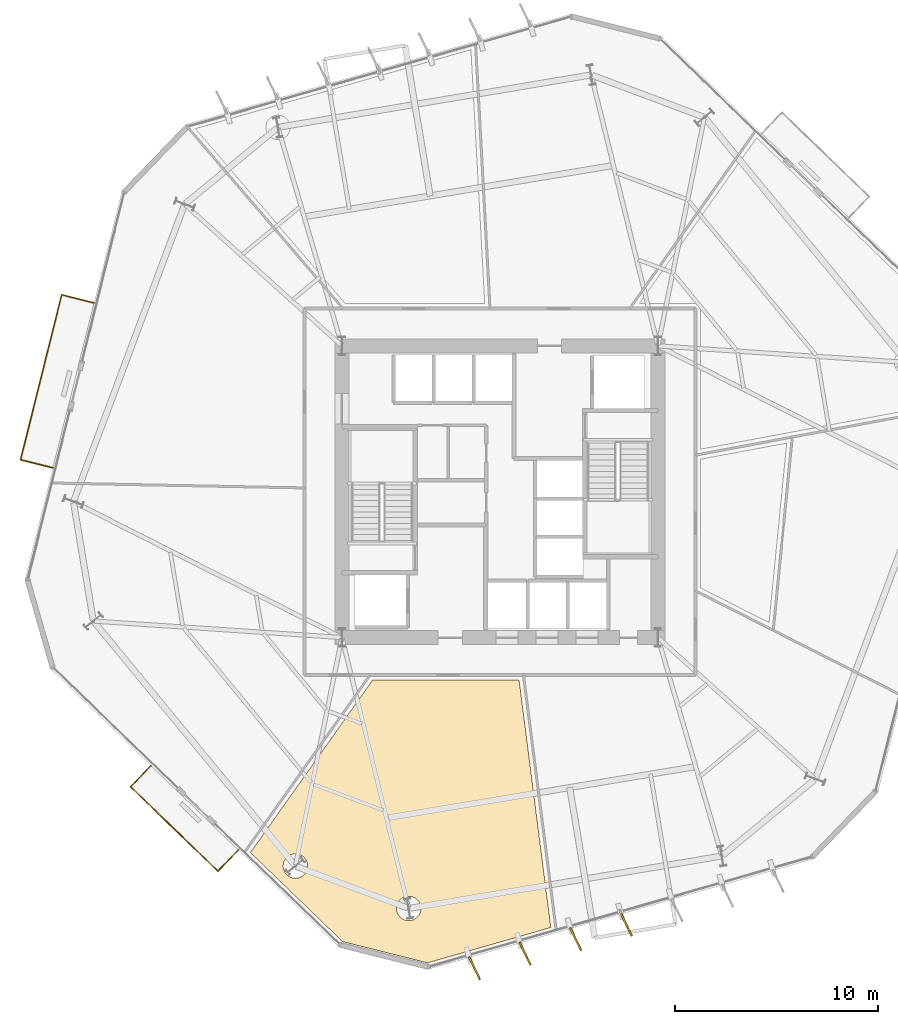
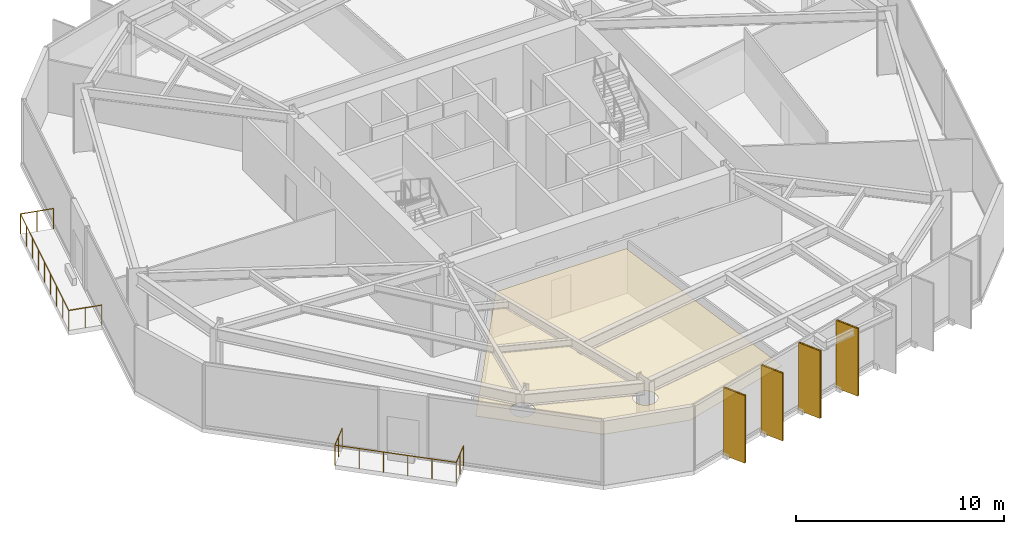
# One storey, part 8 of 10: 5 coverings, 4 shading devices, 2 railings.
"""IFC4 building model written with IfcOpenShell, lengths in metres."""

from ifc_helpers import new_model, si_unit, direction, frame, origin, origin_2d, place, context, subcontext, project, spatial, polyline, rectangle, circle, outline, extrude, material, layer, layer_set, type_object, element, save


model = new_model("IFC4")

# Units and contexts
model_context = context("Model", 3, precision=1e-05, world=origin(), true_north=direction((0.0, 1.0)))
body_context = subcontext(model_context, "Body", "Model", "MODEL_VIEW")
ifc_project = project(units=[si_unit("LENGTHUNIT", "METRE"), si_unit("AREAUNIT", "SQUARE_METRE"), si_unit("VOLUMEUNIT", "CUBIC_METRE"), si_unit("PLANEANGLEUNIT", "RADIAN"), si_unit("MASSUNIT", "GRAM", prefix="KILO")], contexts=[model_context])

# Site, building, storey
site_placement = place(None, origin())
site = spatial("IfcSite", under=ifc_project, at=site_placement, CompositionType="ELEMENT")
building_placement = place(site_placement, origin())
building = spatial("IfcBuilding", under=site, at=building_placement, Name="Kranzbogen Civic Tower", CompositionType="ELEMENT")
storey_placement = place(building_placement, frame((0.0, 0.0, 84.0)))
storey = spatial("IfcBuildingStorey", under=building, at=storey_placement, Name="L20", CompositionType="ELEMENT", Elevation=84.0)

# Coverings
ifc_material_1 = material(Name="Pale Anodised Aluminium", Category="aluminium")
ifc_layer_1 = layer(ifc_material_1, 0.02490234375, Name="Pale Anodised Aluminium")
ifc_layer_set_1 = layer_set([ifc_layer_1], Name="Pale Anodised Aluminium")
covering_type_1 = type_object("IfcCoveringType", Name="Anodised Aluminium Vertical Fin Cladding 25 mm", PredefinedType="CLADDING", material=ifc_layer_set_1)
for number, where, z_axis, x_axis, name in (
    (1, (23.742919921875, 1.47607421875, -0.139892578125), (0.0, 0.0, 1.0), (0.436220788263, -0.899839665655, 0.0), "L20 vertical fin pale-metal cladding F5-1"),
    (2, (26.241943359375, 2.193115234375, -0.139892578125), (0.0, 0.0, 1.0), (0.436220788263, -0.899839665655, 0.0), "L20 vertical fin pale-metal cladding F5-2"),
    (3, (28.740966796875, 2.908935546875, -0.139892578125), (0.0, 0.0, 1.0), (0.436220788263, -0.899839665655, 0.0), "L20 vertical fin pale-metal cladding F5-3"),
    (4, (31.239990234375, 3.6259765625, -0.139892578125), (0.0, 0.0, 1.0), (0.436220788263, -0.899839665655, 0.0), "L20 vertical fin pale-metal cladding F5-4"),
):
    element("IfcCovering", number, at=place(storey_placement, frame(where, z_axis=z_axis, x_axis=x_axis)), inside=storey, type_object=covering_type_1, Name=name, PredefinedType="CLADDING", context=body_context, shape_type="SweptSolid", body=[
        extrude(rectangle(XDim=1.25, YDim=0.10009765625, at=origin_2d()), origin(), (0.0, 0.0, 1.0), 3.9599609375),
    ])

# Shading devices
ifc_material_2 = material(Name="Anodised Bronze Aluminium", Category="aluminium")
shading_device_type = type_object("IfcShadingDeviceType", Name="Anodised Bronze Vertical Facade Fin 1250x80", PredefinedType="USERDEFINED", material=ifc_material_2)
for number, where, z_axis, x_axis, name in (
    (5, (23.742919921875, 1.47607421875, -0.139892578125), (0.0, 0.0, 1.0), (0.436220788263, -0.899839665655, 0.0), "L20 vertical exterior shading fin F5-1"),
    (6, (26.241943359375, 2.193115234375, -0.139892578125), (0.0, 0.0, 1.0), (0.436220788263, -0.899839665655, 0.0), "L20 vertical exterior shading fin F5-2"),
    (7, (28.740966796875, 2.908935546875, -0.139892578125), (0.0, 0.0, 1.0), (0.436220788263, -0.899839665655, 0.0), "L20 vertical exterior shading fin F5-3"),
    (8, (31.239990234375, 3.6259765625, -0.139892578125), (0.0, 0.0, 1.0), (0.436220788263, -0.899839665655, 0.0), "L20 vertical exterior shading fin F5-4"),
):
    element("IfcShadingDevice", number, at=place(storey_placement, frame(where, z_axis=z_axis, x_axis=x_axis)), inside=storey, type_object=shading_device_type, Name=name, ObjectType="FIN", PredefinedType="USERDEFINED", context=body_context, shape_type="SweptSolid", body=[
        extrude(rectangle(XDim=1.25, YDim=0.080078125, at=origin_2d()), origin(), (0.0, 0.0, 1.0), 3.9599609375),
    ])

# Railings
railing_type = type_object("IfcRailingType", Name="Cantilevered Balcony Glass and Bronze Balustrade 1200", PredefinedType="BALUSTRADE", material=ifc_material_2)
railing_1_placement = place(storey_placement, frame((7.76806640625, 11.47412109375, 0.0)))
element("IfcRailing", 9, at=railing_1_placement, inside=storey, type_object=railing_type, Name="L20 exterior terrace balustrade L20-TB1", PredefinedType="BALUSTRADE", context=body_context, shape_type="SweptSolid", body=[
    extrude(circle(Radius=0.02392578125, at=origin_2d()), frame((0.0, 0.0, 1.17578125), z_axis=(-0.694537420213, -0.719456580986, 0.0), x_axis=(0.719456580986, -0.694537420213, 0.0)), (0.0, 0.0, 1.0), 1.449951171875),
    extrude(circle(Radius=0.02392578125, at=origin_2d()), frame((-1.007080078125, -1.043212890625, 1.17578125), z_axis=(0.719328539087, -0.694670031638, 0.0), x_axis=(0.694670031638, 0.719328539087, 0.0)), (0.0, 0.0, 1.0), 6.0),
    extrude(circle(Radius=0.02392578125, at=origin_2d()), frame((3.308837890625, -5.211181640625, 1.17578125), z_axis=(0.694621559732, 0.719375346224, 0.0), x_axis=(-0.719375346224, 0.694621559732, 0.0)), (0.0, 0.0, 1.0), 1.44970703125),
    extrude(circle(Radius=0.02099609375, at=origin_2d()), origin(), (0.0, 0.0, 1.0), 1.15185546875),
    extrude(circle(Radius=0.02099609375, at=origin_2d()), frame((-0.50341796875, -0.521484375, 0.0)), (0.0, 0.0, 1.0), 1.15185546875),
    extrude(circle(Radius=0.02099609375, at=origin_2d()), frame((-1.007080078125, -1.043212890625, 0.0)), (0.0, 0.0, 1.0), 1.15185546875),
    extrude(circle(Radius=0.02099609375, at=origin_2d()), frame((-0.143798828125, -1.876708984375, 0.0)), (0.0, 0.0, 1.0), 1.15185546875),
    extrude(circle(Radius=0.02099609375, at=origin_2d()), frame((0.71923828125, -2.71044921875, 0.0)), (0.0, 0.0, 1.0), 1.15185546875),
    extrude(circle(Radius=0.02099609375, at=origin_2d()), frame((1.58251953125, -3.5439453125, 0.0)), (0.0, 0.0, 1.0), 1.15185546875),
    extrude(circle(Radius=0.02099609375, at=origin_2d()), frame((2.445556640625, -4.377685546875, 0.0)), (0.0, 0.0, 1.0), 1.15185546875),
    extrude(circle(Radius=0.02099609375, at=origin_2d()), frame((3.308837890625, -5.211181640625, 0.0)), (0.0, 0.0, 1.0), 1.15185546875),
    extrude(circle(Radius=0.02099609375, at=origin_2d()), frame((3.8125, -4.689697265625, 0.0)), (0.0, 0.0, 1.0), 1.15185546875),
    extrude(circle(Radius=0.02099609375, at=origin_2d()), frame((4.31591796875, -4.168212890625, 0.0)), (0.0, 0.0, 1.0), 1.15185546875),
])
railing_2_placement = place(storey_placement, frame((4.9609375, 34.324951171875, 0.0)))
element("IfcRailing", 10, at=railing_2_placement, inside=storey, type_object=railing_type, Name="L20 exterior terrace balustrade L20-ST", PredefinedType="BALUSTRADE", context=body_context, shape_type="SweptSolid", body=[
    extrude(circle(Radius=0.02392578125, at=origin_2d()), frame((0.0, 0.0, 1.17578125), z_axis=(-0.970290297354, 0.241943668777, 0.0), x_axis=(-0.241943668777, -0.970290297354, 0.0)), (0.0, 0.0, 1.0), 1.64990234375),
    extrude(circle(Radius=0.02392578125, at=origin_2d()), frame((-1.600830078125, 0.399169921875, 1.17578125), z_axis=(-0.241913303312, -0.970297868534, 0.0), x_axis=(0.970297868534, -0.241913303312, 0.0)), (0.0, 0.0, 1.0), 8.400634765625),
    extrude(circle(Radius=0.02392578125, at=origin_2d()), frame((-3.633056640625, -7.751953125, 1.17578125), z_axis=(0.970333677816, -0.241769629392, 0.0), x_axis=(0.241769629392, 0.970333677816, 0.0)), (0.0, 0.0, 1.0), 1.64990234375),
    extrude(circle(Radius=0.02099609375, at=origin_2d()), origin(), (0.0, 0.0, 1.0), 1.15185546875),
    extrude(circle(Radius=0.02099609375, at=origin_2d()), frame((-0.80029296875, 0.19970703125, 0.0)), (0.0, 0.0, 1.0), 1.15185546875),
    extrude(circle(Radius=0.02099609375, at=origin_2d()), frame((-1.600830078125, 0.399169921875, 0.0)), (0.0, 0.0, 1.0), 1.15185546875),
    extrude(circle(Radius=0.02099609375, at=origin_2d()), frame((-1.85498046875, -0.61962890625, 0.0)), (0.0, 0.0, 1.0), 1.15185546875),
    extrude(circle(Radius=0.02099609375, at=origin_2d()), frame((-2.10888671875, -1.638671875, 0.0)), (0.0, 0.0, 1.0), 1.15185546875),
    extrude(circle(Radius=0.02099609375, at=origin_2d()), frame((-2.36279296875, -2.657470703125, 0.0)), (0.0, 0.0, 1.0), 1.15185546875),
    extrude(circle(Radius=0.02099609375, at=origin_2d()), frame((-2.616943359375, -3.67626953125, 0.0)), (0.0, 0.0, 1.0), 1.15185546875),
    extrude(circle(Radius=0.02099609375, at=origin_2d()), frame((-2.87109375, -4.6953125, 0.0)), (0.0, 0.0, 1.0), 1.15185546875),
    extrude(circle(Radius=0.02099609375, at=origin_2d()), frame((-3.125, -5.714111328125, 0.0)), (0.0, 0.0, 1.0), 1.15185546875),
    extrude(circle(Radius=0.02099609375, at=origin_2d()), frame((-3.37890625, -6.733154296875, 0.0)), (0.0, 0.0, 1.0), 1.15185546875),
    extrude(circle(Radius=0.02099609375, at=origin_2d()), frame((-3.633056640625, -7.751953125, 0.0)), (0.0, 0.0, 1.0), 1.15185546875),
    extrude(circle(Radius=0.02099609375, at=origin_2d()), frame((-2.83251953125, -7.951416015625, 0.0)), (0.0, 0.0, 1.0), 1.15185546875),
    extrude(circle(Radius=0.02099609375, at=origin_2d()), frame((-2.031982421875, -8.15087890625, 0.0)), (0.0, 0.0, 1.0), 1.15185546875),
])

# Covering
ifc_material_3 = material(Name="Perforated Acoustic Gypsum Ceiling")
ifc_layer_2 = layer(ifc_material_3, 0.02490234375, Name="Perforated Acoustic Gypsum Ceiling")
ifc_layer_set_2 = layer_set([ifc_layer_2], Name="Perforated Acoustic Gypsum Ceiling")
covering_type_2 = type_object("IfcCoveringType", Name="Perforated Acoustic Mineral Ceiling Tile 25 mm", PredefinedType="CEILING", material=ifc_layer_set_2)
covering_placement = place(storey_placement, frame((0.0, 0.0, 2.75)))
element("IfcCovering", 11, at=covering_placement, inside=storey, type_object=covering_type_2, Name="L20 Directorate Admin Workspace acoustic ceiling", PredefinedType="CEILING", context=body_context, shape_type="SweptSolid", body=[
    extrude(outline(polyline([(17.23193359375, 2.785888671875), (12.679931640625, 7.18310546875), (18.717041015625, 15.705078125), (25.945068359375, 15.705078125), (27.512939453125, 3.48388671875), (21.429931640625, 1.739013671875), (17.23193359375, 2.785888671875)]), holes=[polyline([(21.051025390625, 4.194091796875), (21.02587890625, 4.139892578125), (20.99609375, 4.090087890625), (20.9599609375, 4.0419921875), (20.9208984375, 3.998046875), (20.876953125, 3.958984375), (20.8291015625, 3.923095703125), (20.779052734375, 3.89306640625), (20.72509765625, 3.867919921875), (20.669921875, 3.847900390625), (20.612060546875, 3.833984375), (20.553955078125, 3.824951171875), (20.4951171875, 3.822021484375), (20.43603515625, 3.824951171875), (20.3779296875, 3.833984375), (20.320068359375, 3.847900390625), (20.264892578125, 3.867919921875), (20.2109375, 3.89306640625), (20.160888671875, 3.923095703125), (20.113037109375, 3.958984375), (20.069091796875, 3.998046875), (20.030029296875, 4.0419921875), (19.993896484375, 4.090087890625), (19.964111328125, 4.139892578125), (19.93896484375, 4.194091796875), (19.9189453125, 4.2490234375), (19.905029296875, 4.306884765625), (19.89599609375, 4.364990234375), (19.89306640625, 4.424072265625), (19.89599609375, 4.48291015625), (19.905029296875, 4.541015625), (19.9189453125, 4.59912109375), (19.93896484375, 4.654052734375), (19.964111328125, 4.7080078125), (19.993896484375, 4.758056640625), (20.030029296875, 4.805908203125), (20.069091796875, 4.85009765625), (20.113037109375, 4.888916015625), (20.160888671875, 4.925048828125), (20.2109375, 4.955078125), (20.264892578125, 4.97998046875), (20.320068359375, 5.0), (20.3779296875, 5.013916015625), (20.43603515625, 5.02294921875), (20.4951171875, 5.02587890625), (20.553955078125, 5.02294921875), (20.612060546875, 5.013916015625), (20.669921875, 5.0), (20.72509765625, 4.97998046875), (20.779052734375, 4.955078125), (20.8291015625, 4.925048828125), (20.876953125, 4.888916015625), (20.9208984375, 4.85009765625), (20.9599609375, 4.805908203125), (20.99609375, 4.758056640625), (21.02587890625, 4.7080078125), (21.051025390625, 4.654052734375), (21.071044921875, 4.59912109375), (21.0849609375, 4.541015625), (21.093994140625, 4.48291015625), (21.096923828125, 4.424072265625), (21.093994140625, 4.364990234375), (21.0849609375, 4.306884765625), (21.071044921875, 4.2490234375), (21.051025390625, 4.194091796875)]), polyline([(15.45703125, 6.285888671875), (15.431884765625, 6.23193359375), (15.402099609375, 6.181884765625), (15.365966796875, 6.134033203125), (15.326904296875, 6.090087890625), (15.282958984375, 6.051025390625), (15.235107421875, 6.014892578125), (15.18505859375, 5.985107421875), (15.131103515625, 5.9599609375), (15.075927734375, 5.93994140625), (15.01806640625, 5.926025390625), (14.9599609375, 5.9169921875), (14.90087890625, 5.9140625), (14.842041015625, 5.9169921875), (14.783935546875, 5.926025390625), (14.72607421875, 5.93994140625), (14.6708984375, 5.9599609375), (14.616943359375, 5.985107421875), (14.56689453125, 6.014892578125), (14.51904296875, 6.051025390625), (14.47509765625, 6.090087890625), (14.43603515625, 6.134033203125), (14.39990234375, 6.181884765625), (14.3701171875, 6.23193359375), (14.344970703125, 6.285888671875), (14.324951171875, 6.341064453125), (14.31103515625, 6.39892578125), (14.302001953125, 6.45703125), (14.299072265625, 6.51611328125), (14.302001953125, 6.574951171875), (14.31103515625, 6.633056640625), (14.324951171875, 6.69091796875), (14.344970703125, 6.74609375), (14.3701171875, 6.800048828125), (14.39990234375, 6.85009765625), (14.43603515625, 6.89794921875), (14.47509765625, 6.94189453125), (14.51904296875, 6.98095703125), (14.56689453125, 7.01708984375), (14.616943359375, 7.047119140625), (14.6708984375, 7.072021484375), (14.72607421875, 7.092041015625), (14.783935546875, 7.10595703125), (14.842041015625, 7.114990234375), (14.90087890625, 7.117919921875), (14.9599609375, 7.114990234375), (15.01806640625, 7.10595703125), (15.075927734375, 7.092041015625), (15.131103515625, 7.072021484375), (15.18505859375, 7.047119140625), (15.235107421875, 7.01708984375), (15.282958984375, 6.98095703125), (15.326904296875, 6.94189453125), (15.365966796875, 6.89794921875), (15.402099609375, 6.85009765625), (15.431884765625, 6.800048828125), (15.45703125, 6.74609375), (15.47705078125, 6.69091796875), (15.490966796875, 6.633056640625), (15.5, 6.574951171875), (15.5029296875, 6.51611328125), (15.5, 6.45703125), (15.490966796875, 6.39892578125), (15.47705078125, 6.341064453125), (15.45703125, 6.285888671875)])]), origin(), (0.0, 0.0, 1.0), 0.02490234375),
])

save(model, "model.ifc")
